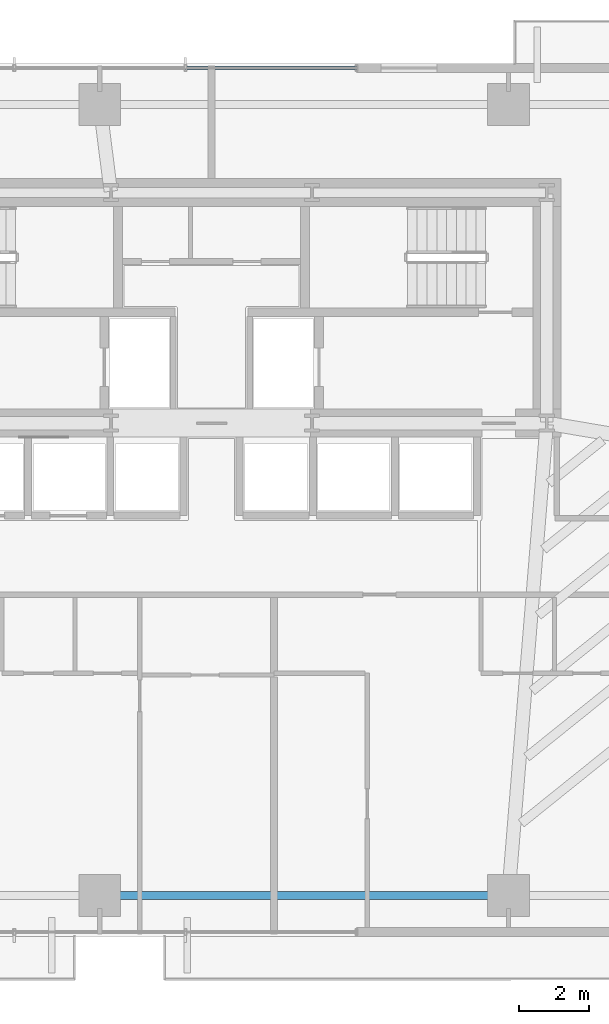
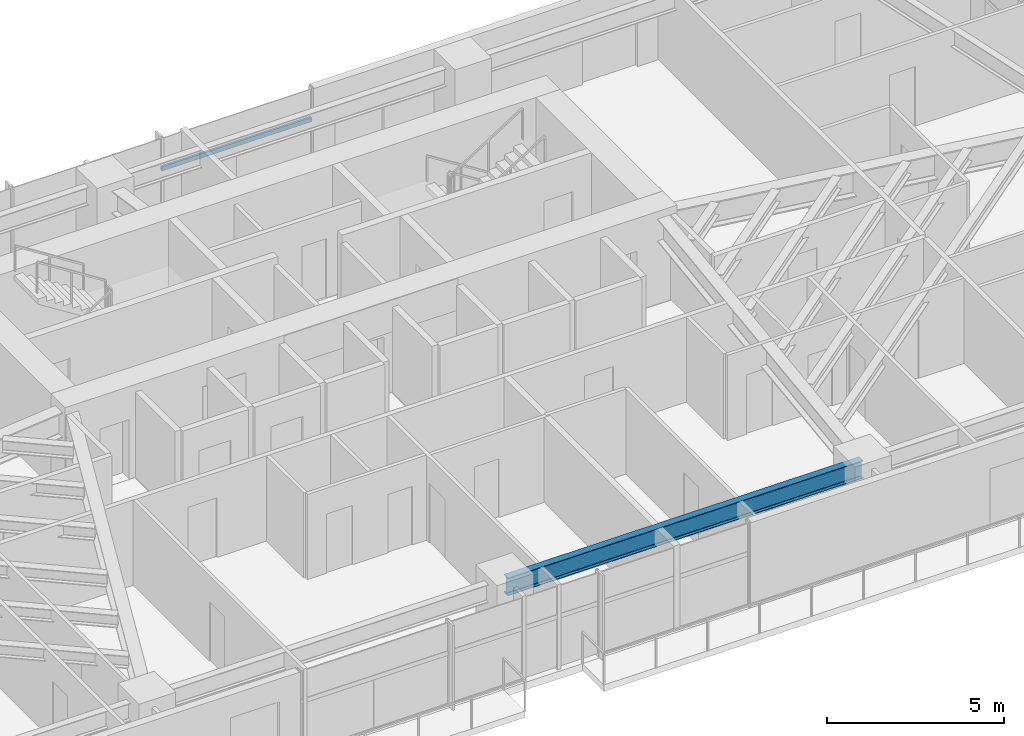
# One storey, part 11 of 25: 1 beam, 1 member, 1 element without a shape of its own.
"""IFC4 building model written with IfcOpenShell, lengths in metres."""

import ifcopenshell
import ifcopenshell.guid

model = None  # the IFC model being written
_history = None  # IfcOwnerHistory: only IFC2X3 demands one
_inside = {}  # id of a spatial element -> (the spatial element, [elements in it])
_under = {}  # id of a project, library or spatial element -> (it, [spatial elements below it])
_declared = {}  # id of a project -> (the project, [libraries it declares])
_typed = {}  # id of a type object -> (the type object, [elements of that type])
_made_of = {}  # id of a material, layer set ... -> (it, [elements and type objects made of it])


def new_model(schema):
    """Start an empty IFC model of exactly this schema.

    Asked for "IFC4X3", IfcOpenShell would pick the latest addendum, in which some entities
    have other attributes; the version numbers below select the first issue.
    IFC2X3 requires an IfcOwnerHistory on every rooted entity: one is made here for all.
    """
    global model, _history
    if schema == "IFC4X3":
        model = ifcopenshell.file(schema_version=(4, 3, 0, 0))
    else:
        model = ifcopenshell.file(schema=schema)
    _inside.clear()
    _under.clear()
    _declared.clear()
    _typed.clear()
    _made_of.clear()
    _history = None
    if model.schema == "IFC2X3":
        org = make("IfcOrganization", Name="unknown")
        user = make(
            "IfcPersonAndOrganization",
            ThePerson=make("IfcPerson", FamilyName="unknown"),
            TheOrganization=org,
        )
        app = make(
            "IfcApplication",
            ApplicationDeveloper=org,
            Version="unknown",
            ApplicationFullName="unknown",
            ApplicationIdentifier="unknown",
        )
        _history = make(
            "IfcOwnerHistory",
            OwningUser=user,
            OwningApplication=app,
            ChangeAction="ADDED",
            CreationDate=0,
        )
    return model


def make(cls, **values):
    """One entity of the class cls with the attributes given. An attribute that is None is left unset."""
    return model.create_entity(
        cls, **{name: value for name, value in values.items() if value is not None}
    )


def rooted(cls, **values):
    """An entity with a GlobalId (a new one), such as an element, a storey or a relation."""
    return make(cls, GlobalId=ifcopenshell.guid.new(), OwnerHistory=_history, **values)


def si_unit(unit_type, name, prefix=None):
    """IfcSIUnit, for example si_unit("LENGTHUNIT", "METRE", prefix="MILLI")."""
    return make("IfcSIUnit", UnitType=unit_type, Prefix=prefix, Name=name)


def assignment(units):
    """IfcUnitAssignment: the units of a project."""
    return None if units is None else make("IfcUnitAssignment", Units=units)


def point(xyz):
    """IfcCartesianPoint."""
    return None if xyz is None else make("IfcCartesianPoint", Coordinates=xyz)


def direction(xyz):
    """IfcDirection."""
    return None if xyz is None else make("IfcDirection", DirectionRatios=xyz)


def frame(location, z_axis=None, x_axis=None):
    """IfcAxis2Placement3D, a coordinate frame: its origin and axes. An axis left out is left unset."""
    return make(
        "IfcAxis2Placement3D",
        Location=point(location),
        Axis=direction(z_axis),
        RefDirection=direction(x_axis),
    )


def frame_2d(location, x_axis=None):
    """IfcAxis2Placement2D, a coordinate frame in the plane: its origin and x axis."""
    return make(
        "IfcAxis2Placement2D", Location=point(location), RefDirection=direction(x_axis)
    )


def origin():
    """The frame at (0, 0, 0) with its axes left unset."""
    return frame((0.0, 0.0, 0.0))


def origin_2d():
    """The frame at (0, 0) in the plane with its x axis left unset."""
    return frame_2d((0.0, 0.0))


def place(relative_to, where):
    """IfcLocalPlacement: puts the frame where relative to a parent placement (None: the world)."""
    return make(
        "IfcLocalPlacement", PlacementRelTo=relative_to, RelativePlacement=where
    )


def context(
    kind, dimensions, precision=None, world=None, true_north=None, identifier=None
):
    """IfcGeometricRepresentationContext, for example the 3D "Model" context."""
    return make(
        "IfcGeometricRepresentationContext",
        ContextIdentifier=identifier,
        ContextType=kind,
        CoordinateSpaceDimension=dimensions,
        Precision=precision,
        WorldCoordinateSystem=world,
        TrueNorth=true_north,
    )


def subcontext(parent, identifier, kind, view, scale=None):
    """IfcGeometricRepresentationSubContext, for example "Body" below "Model"."""
    return make(
        "IfcGeometricRepresentationSubContext",
        ContextIdentifier=identifier,
        ContextType=kind,
        ParentContext=parent,
        TargetScale=scale,
        TargetView=view,
    )


def project(units=None, contexts=None):
    """IfcProject with its units and contexts."""
    return rooted(
        "IfcProject",
        Name="project",
        RepresentationContexts=contexts,
        UnitsInContext=assignment(units),
    )


def spatial(cls, under=None, at=None, **own):
    """A site, building, storey or space (cls), placed at a placement, below another one or the project."""
    s = rooted(cls, ObjectPlacement=at, **own)
    if under is not None:
        _under.setdefault(under.id(), (under, []))[1].append(s)
    return s


def profile(cls, at=None, kind="AREA", **sizes):
    """A parametric profile (cls). Its sizes go by their IFC names, for example OverallWidth=200.0."""
    return make(cls, ProfileType=kind, Position=at, **sizes)


def hollow_rectangle(**sizes):
    """IfcRectangleHollowProfileDef."""
    return profile("IfcRectangleHollowProfileDef", **sizes)


def i_section(**sizes):
    """IfcIShapeProfileDef."""
    return profile("IfcIShapeProfileDef", **sizes)


def extrude(swept, where, along, depth):
    """IfcExtrudedAreaSolid: the profile swept, set in the frame where, extruded along a direction by depth."""
    return make(
        "IfcExtrudedAreaSolid",
        SweptArea=swept,
        Position=where,
        ExtrudedDirection=direction(along),
        Depth=depth,
    )


def shape(context_of_items, identifier, shape_type, items):
    """IfcShapeRepresentation: the items that make up one representation, for example the "Body"."""
    return make(
        "IfcShapeRepresentation",
        ContextOfItems=context_of_items,
        RepresentationIdentifier=identifier,
        RepresentationType=shape_type,
        Items=items,
    )


def source(mapping_origin, context_of_items, identifier, shape_type, items):
    """IfcRepresentationMap: a shape defined once, which mapped items show again and again."""
    return make(
        "IfcRepresentationMap",
        MappingOrigin=mapping_origin,
        MappedRepresentation=shape(context_of_items, identifier, shape_type, items),
    )


def transform(
    local_origin,
    x_axis=None,
    y_axis=None,
    z_axis=None,
    scale=None,
    scale2=None,
    scale3=None,
    uniform=True,
):
    """IfcCartesianTransformationOperator3D, or its non-uniform kind. x_axis, y_axis, z_axis: its Axis1, 2, 3."""
    if uniform:
        return make(
            "IfcCartesianTransformationOperator3D",
            Axis1=direction(x_axis),
            Axis2=direction(y_axis),
            LocalOrigin=point(local_origin),
            Scale=scale,
            Axis3=direction(z_axis),
        )
    return make(
        "IfcCartesianTransformationOperator3DnonUniform",
        Axis1=direction(x_axis),
        Axis2=direction(y_axis),
        LocalOrigin=point(local_origin),
        Scale=scale,
        Axis3=direction(z_axis),
        Scale2=scale2,
        Scale3=scale3,
    )


def mapped(mapping_source, mapping_target):
    """IfcMappedItem: shows the shape of a source again, moved by a transform."""
    return make(
        "IfcMappedItem", MappingSource=mapping_source, MappingTarget=mapping_target
    )


def material(Name=None, Category=None):
    """IfcMaterial."""
    return make("IfcMaterial", Name=Name, Category=Category)


def material_profile(
    of_material, cross_section, Name=None, Category=None, Priority=None
):
    """IfcMaterialProfile: a cross section and its material."""
    return make(
        "IfcMaterialProfile",
        Name=Name,
        Material=of_material,
        Profile=cross_section,
        Priority=Priority,
        Category=Category,
    )


def profile_set(profiles, Name=None, composite=None):
    """IfcMaterialProfileSet."""
    return make(
        "IfcMaterialProfileSet",
        Name=Name,
        MaterialProfiles=profiles,
        CompositeProfile=composite,
    )


def made_of(thing, what):
    """Note that an element or type object is made of a material, layer set ...; save() writes the relation."""
    if what is not None:
        _made_of.setdefault(what.id(), (what, []))[1].append(thing)
    return thing


def type_object(cls, material=None, **own):
    """A type object (cls), such as IfcWallType, which elements share."""
    return made_of(rooted(cls, **own), material)


def type_shapes(of_type, sources):
    """Give a type object the sources (RepresentationMaps) that its elements show as mapped items."""
    of_type.RepresentationMaps = sources


def element(
    cls,
    number,
    at=None,
    inside=None,
    cuts=None,
    type_object=None,
    material=None,
    context=None,
    identifier="Body",
    shape_type=None,
    held_by="IfcProductDefinitionShape",
    body=None,
    shapes=None,
    **own,
):
    """One element of the class cls, such as IfcWall. Its Tag is "e" and its number.

    at: its placement. inside: the storey or other place that contains it. cuts: it is an
    opening in that element (IfcRelVoidsElement). A single representation is given by context,
    identifier, shape_type and body (its items); several are given by shapes. held_by: the class
    of the entity that holds the representations. save() writes the other relations.
    """
    e = rooted(cls, Tag="e%d" % number, ObjectPlacement=at, **own)
    if body is not None:
        shapes = [shape(context, identifier, shape_type, body)]
    if shapes is not None:
        e.Representation = make(held_by, Representations=shapes)
    if inside is not None:
        _inside.setdefault(inside.id(), (inside, []))[1].append(e)
    if cuts is not None:
        rooted(
            "IfcRelVoidsElement", RelatingBuildingElement=cuts, RelatedOpeningElement=e
        )
    if type_object is not None:
        _typed.setdefault(type_object.id(), (type_object, []))[1].append(e)
    return made_of(e, material)


def aggregate(whole, parts):
    """IfcRelAggregates: a whole, such as a stair, and the parts it consists of."""
    return rooted("IfcRelAggregates", RelatingObject=whole, RelatedObjects=parts)


def save(model, path):
    """Write the relations noted so far, then the file.

    IfcRelAggregates (storeys below a building ...), IfcRelContainedInSpatialStructure (elements
    in a storey), IfcRelDefinesByType, IfcRelAssociatesMaterial and IfcRelDeclares: one each for
    every whole, place, type object, material and project.
    """
    for whole, parts in _under.values():
        aggregate(whole, parts)
    for where, things in _inside.values():
        rooted(
            "IfcRelContainedInSpatialStructure",
            RelatedElements=things,
            RelatingStructure=where,
        )
    for kind, things in _typed.values():
        rooted("IfcRelDefinesByType", RelatedObjects=things, RelatingType=kind)
    for what, things in _made_of.values():
        rooted("IfcRelAssociatesMaterial", RelatedObjects=things, RelatingMaterial=what)
    for by, libraries in _declared.values():
        rooted("IfcRelDeclares", RelatingContext=by, RelatedDefinitions=libraries)
    model.write(path)


model = new_model("IFC4")

# Units and contexts
model_context = context("Model", 3, precision=1e-05, world=origin(), true_north=direction((0.0, 1.0)))
body_context = subcontext(model_context, "Body", "Model", "MODEL_VIEW")
ifc_project = project(units=[si_unit("LENGTHUNIT", "METRE"), si_unit("AREAUNIT", "SQUARE_METRE"), si_unit("VOLUMEUNIT", "CUBIC_METRE"), si_unit("PLANEANGLEUNIT", "RADIAN"), si_unit("MASSUNIT", "GRAM", prefix="KILO")], contexts=[model_context])

# Site, building, storey
site_placement = place(None, origin())
site = spatial("IfcSite", under=ifc_project, at=site_placement, CompositionType="ELEMENT")
building_placement = place(site_placement, origin())
building = spatial("IfcBuilding", under=site, at=building_placement, Name="Astriad Promenade Condominiums", CompositionType="ELEMENT")
storey_placement = place(building_placement, frame((0.0, 0.0, 32.60009765625)))
storey = spatial("IfcBuildingStorey", under=building, at=storey_placement, Name="L08", CompositionType="ELEMENT", Elevation=32.60009765625)

# Beam
ifc_material_1 = material(Name="Steel ASTM A992 Grade 50", Category="steel")
ifc_material_profile_1 = material_profile(ifc_material_1, i_section(OverallWidth=0.22900390625, OverallDepth=0.612060546875, WebThickness=0.011962890625, FlangeThickness=0.01953125, FilletRadius=0.017822265625, at=origin_2d()), Name="W24X84")
ifc_profile_set_1 = profile_set([ifc_material_profile_1], Name="Steel ASTM A992 Grade 50")
beam_type = type_object("IfcBeamType", Name="STEEL SPANDREL BEAM W24X84", PredefinedType="SPANDREL", material=ifc_profile_set_1)
shared_shape_1 = source(origin(), body_context, "Body", "SweptSolid", [
    extrude(i_section(OverallWidth=0.22900390625, OverallDepth=0.612060546875, WebThickness=0.011962890625, FlangeThickness=0.01953125, FilletRadius=0.017822265625, at=origin_2d()), origin(), (0.0, 0.0, 1.0), 11.619873046875),
])
type_shapes(beam_type, [shared_shape_1])
beam_placement = place(storey_placement, frame((32.840087890625, 3.8798828125, 2.6337890625), z_axis=(1.0, 0.0, 0.0), x_axis=(0.0, 1.0, 0.0)))
element("IfcBeam", 1, at=beam_placement, inside=storey, type_object=beam_type, Name="Perimeter Spandrel Beam SP-S3-L08", PredefinedType="SPANDREL", context=body_context, shape_type="MappedRepresentation", body=[
    mapped(shared_shape_1, transform((0.0, 0.0, 0.0), scale=1.0)),
])

# Curtain wall, member
ifc_material_2 = material(Name="Anodised aluminium Black Dark Glass Unitised", Category="aluminium")
curtain_wall_type = type_object("IfcCurtainWallType", Name="CW-B1-DARK", PredefinedType="USERDEFINED", material=ifc_material_2)
curtain_wall_placement = place(storey_placement, origin())
curtain_wall = element("IfcCurtainWall", 2, at=curtain_wall_placement, inside=storey, type_object=curtain_wall_type, Name="CW-L08-N", ObjectType="UNITISED_CURTAIN_WALL", PredefinedType="USERDEFINED")
ifc_material_3 = material(Name="Anodised aluminium 6063-T6 Black", Category="aluminium")
ifc_material_profile_2 = material_profile(ifc_material_3, hollow_rectangle(XDim=0.074951171875, YDim=0.14990234375, WallThickness=0.004150390625, at=origin_2d()), Name="ALU-TRN-75X150")
ifc_profile_set_2 = profile_set([ifc_material_profile_2], Name="Anodised aluminium 6063-T6 Black")
member_type = type_object("IfcMemberType", Name="TRN-ALU-TRN-75X150", PredefinedType="USERDEFINED", material=ifc_profile_set_2)
shared_shape_2 = source(origin(), body_context, "Body", "SweptSolid", [
    extrude(hollow_rectangle(XDim=0.074951171875, YDim=0.14990234375, WallThickness=0.004150390625, at=origin_2d()), origin(), (0.0, 0.0, 1.0), 4.89990234375),
])
type_shapes(member_type, [shared_shape_2])
member_placement = place(storey_placement, frame((35.25, 27.570068359375, 1.82275390625), z_axis=(1.0, 0.0, 0.0), x_axis=(0.0, 1.0, 0.0)))
member = element("IfcMember", 3, at=member_placement, type_object=member_type, Name="CW-L08-N-TRN-02-0", ObjectType="TRANSOM", PredefinedType="USERDEFINED", context=body_context, shape_type="MappedRepresentation", body=[
    mapped(shared_shape_2, transform((0.0, 0.0, 0.0), scale=1.0)),
])
aggregate(curtain_wall, [member])

save(model, "model.ifc")
